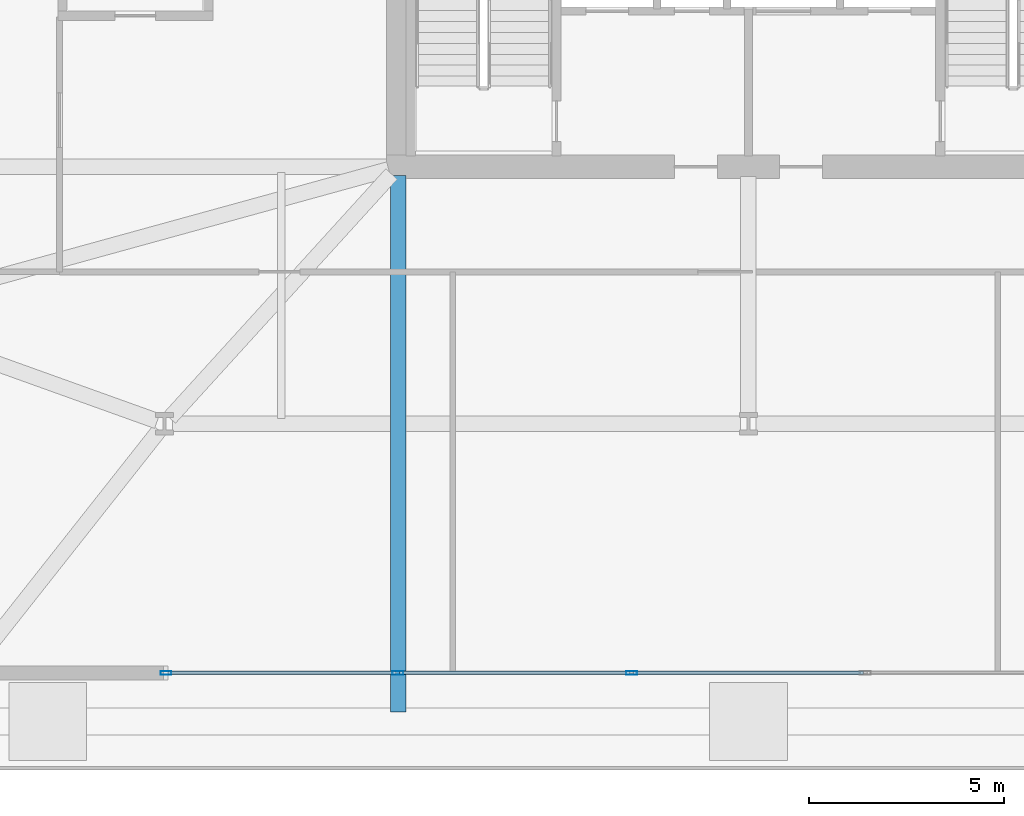
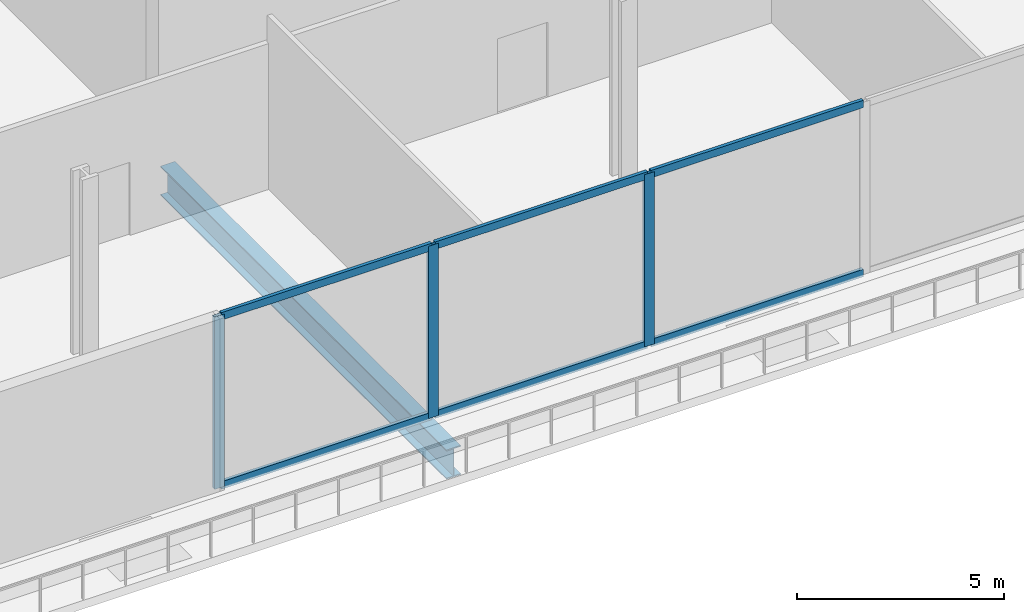
# One storey, part 2 of 20: 9 members, 1 beam, 1 element without a shape of its own.
"""IFC4 building model written with IfcOpenShell, lengths in metres."""

from ifc_helpers import new_model, si_unit, direction, frame, origin, origin_2d, place, context, subcontext, project, spatial, hollow_rectangle, i_section, extrude, material, material_profile, profile_set, type_object, element, aggregate, save


model = new_model("IFC4")

# Units and contexts
model_context = context("Model", 3, precision=1e-05, world=origin(), true_north=direction((0.0, 1.0)))
body_context = subcontext(model_context, "Body", "Model", "MODEL_VIEW")
ifc_project = project(units=[si_unit("LENGTHUNIT", "METRE"), si_unit("AREAUNIT", "SQUARE_METRE"), si_unit("VOLUMEUNIT", "CUBIC_METRE"), si_unit("PLANEANGLEUNIT", "RADIAN"), si_unit("MASSUNIT", "GRAM", prefix="KILO")], contexts=[model_context])

# Site, building, storey
site_placement = place(None, origin())
site = spatial("IfcSite", under=ifc_project, at=site_placement, CompositionType="ELEMENT")
building_placement = place(site_placement, origin())
building = spatial("IfcBuilding", under=site, at=building_placement, Name="Haldenkirk Collegiate Tower", CompositionType="ELEMENT")
storey_placement = place(building_placement, frame((0.0, 0.0, 6.0)))
storey = spatial("IfcBuildingStorey", under=building, at=storey_placement, Name="L01", CompositionType="ELEMENT", Elevation=6.0)

# Beam
ifc_material_1 = material(Name="Steel ASTM A992 Grade 50", Category="steel")
ifc_material_profile_1 = material_profile(ifc_material_1, i_section(OverallWidth=0.39990234375, OverallDepth=0.862060546875, WebThickness=0.019775390625, FlangeThickness=0.032470703125, at=origin_2d()), Name="W33X221")
ifc_profile_set_1 = profile_set([ifc_material_profile_1], Name="Steel ASTM A992 Grade 50")
beam_type = type_object("IfcBeamType", Name="BM-GIRDER-W33X221", PredefinedType="BEAM", material=ifc_profile_set_1)
beam_placement = place(storey_placement, frame((27.0, 4.0, -0.760986328125), z_axis=(0.0, 1.0, 0.0), x_axis=(-1.0, 0.0, 0.0)))
element("IfcBeam", 1, at=beam_placement, inside=storey, type_object=beam_type, Name="L01 outer podium tie girder 02", PredefinedType="BEAM", context=body_context, shape_type="SweptSolid", body=[
    extrude(i_section(OverallWidth=0.39990234375, OverallDepth=0.862060546875, WebThickness=0.019775390625, FlangeThickness=0.032470703125, at=origin_2d()), origin(), (0.0, 0.0, 1.0), 13.780029296875),
])

# Curtain wall, members
ifc_material_2 = material(Name="Anodised architectural bronze aluminium", Category="aluminium")
curtain_wall_type = type_object("IfcCurtainWallType", Name="CW-SYS3-PODIUM", PredefinedType="USERDEFINED", material=ifc_material_2)
curtain_wall_placement = place(storey_placement, origin())
curtain_wall = element("IfcCurtainWall", 2, at=curtain_wall_placement, inside=storey, type_object=curtain_wall_type, Name="L01 Podium campus concourse and library storefront curtain wall", ObjectType="UNITISED CURTAIN WALL", PredefinedType="USERDEFINED")
ifc_material_profile_2 = material_profile(ifc_material_2, hollow_rectangle(XDim=0.094970703125, YDim=0.280029296875, WallThickness=0.0048828125, at=origin_2d()), Name="CW-MUL-03")
ifc_profile_set_2 = profile_set([ifc_material_profile_2], Name="Anodised architectural bronze aluminium")
member_type_1 = type_object("IfcMemberType", Name="CW-MUL-03", PredefinedType="MULLION", material=ifc_profile_set_2)
member_1_placement = place(storey_placement, frame((32.998291015625, 5.0, 0.0), z_axis=(0.0, 0.0, 1.0), x_axis=(0.0, -1.0, 0.0)))
member_1 = element("IfcMember", 3, at=member_1_placement, type_object=member_type_1, Name="CW-03 mullion 4", PredefinedType="MULLION", context=body_context, shape_type="SweptSolid", body=[
    extrude(hollow_rectangle(XDim=0.094970703125, YDim=0.280029296875, WallThickness=0.0048828125, at=origin_2d()), origin(), (0.0, 0.0, 1.0), 5.070068359375),
])
member_2_placement = place(storey_placement, frame((26.9951171875, 5.0, 0.0), z_axis=(0.0, 0.0, 1.0), x_axis=(0.0, -1.0, 0.0)))
member_2 = element("IfcMember", 4, at=member_2_placement, type_object=member_type_1, Name="CW-03 mullion 5", PredefinedType="MULLION", context=body_context, shape_type="SweptSolid", body=[
    extrude(hollow_rectangle(XDim=0.094970703125, YDim=0.280029296875, WallThickness=0.0048828125, at=origin_2d()), origin(), (0.0, 0.0, 1.0), 5.070068359375),
])
member_3_placement = place(storey_placement, frame((21.03955078125, 5.0, 0.0), z_axis=(0.0, 0.0, 1.0), x_axis=(0.0, -1.0, 0.0)))
member_3 = element("IfcMember", 5, at=member_3_placement, type_object=member_type_1, Name="CW-03 mullion 6", PredefinedType="MULLION", context=body_context, shape_type="SweptSolid", body=[
    extrude(hollow_rectangle(XDim=0.094970703125, YDim=0.280029296875, WallThickness=0.0048828125, at=origin_2d()), origin(), (0.0, 0.0, 1.0), 5.070068359375),
])
ifc_material_profile_3 = material_profile(ifc_material_2, hollow_rectangle(XDim=0.094970703125, YDim=0.219970703125, WallThickness=0.0048828125, at=origin_2d()), Name="CW-TRN-03")
ifc_profile_set_3 = profile_set([ifc_material_profile_3], Name="Anodised architectural bronze aluminium")
member_type_2 = type_object("IfcMemberType", Name="CW-TRN-03", PredefinedType="USERDEFINED", material=ifc_profile_set_3)
member_4_placement = place(storey_placement, frame((38.9541015625, 5.0, 0.047607421875), z_axis=(-1.0, 0.0, 0.0), x_axis=(0.0, -1.0, 0.0)))
member_4 = element("IfcMember", 6, at=member_4_placement, type_object=member_type_2, Name="CW-03 transom 3.1", ObjectType="TRANSOM", PredefinedType="USERDEFINED", context=body_context, shape_type="SweptSolid", body=[
    extrude(hollow_rectangle(XDim=0.094970703125, YDim=0.219970703125, WallThickness=0.0048828125, at=origin_2d()), origin(), (0.0, 0.0, 1.0), 5.908203125),
])
member_5_placement = place(storey_placement, frame((38.9541015625, 5.0, 5.0224609375), z_axis=(-1.0, 0.0, 0.0), x_axis=(0.0, -1.0, 0.0)))
member_5 = element("IfcMember", 7, at=member_5_placement, type_object=member_type_2, Name="CW-03 transom 3.2", ObjectType="TRANSOM", PredefinedType="USERDEFINED", context=body_context, shape_type="SweptSolid", body=[
    extrude(hollow_rectangle(XDim=0.094970703125, YDim=0.219970703125, WallThickness=0.0048828125, at=origin_2d()), origin(), (0.0, 0.0, 1.0), 5.908203125),
])
member_6_placement = place(storey_placement, frame((32.950927734375, 5.0, 0.047607421875), z_axis=(-1.0, 0.0, 0.0), x_axis=(0.0, -1.0, 0.0)))
member_6 = element("IfcMember", 8, at=member_6_placement, type_object=member_type_2, Name="CW-03 transom 4.1", ObjectType="TRANSOM", PredefinedType="USERDEFINED", context=body_context, shape_type="SweptSolid", body=[
    extrude(hollow_rectangle(XDim=0.094970703125, YDim=0.219970703125, WallThickness=0.0048828125, at=origin_2d()), origin(), (0.0, 0.0, 1.0), 5.908203125),
])
member_7_placement = place(storey_placement, frame((32.950927734375, 5.0, 5.0224609375), z_axis=(-1.0, 0.0, 0.0), x_axis=(0.0, -1.0, 0.0)))
member_7 = element("IfcMember", 9, at=member_7_placement, type_object=member_type_2, Name="CW-03 transom 4.2", ObjectType="TRANSOM", PredefinedType="USERDEFINED", context=body_context, shape_type="SweptSolid", body=[
    extrude(hollow_rectangle(XDim=0.094970703125, YDim=0.219970703125, WallThickness=0.0048828125, at=origin_2d()), origin(), (0.0, 0.0, 1.0), 5.908203125),
])
member_8_placement = place(storey_placement, frame((26.94775390625, 5.0, 0.047607421875), z_axis=(-1.0, 0.0, 0.0), x_axis=(0.0, -1.0, 0.0)))
member_8 = element("IfcMember", 10, at=member_8_placement, type_object=member_type_2, Name="CW-03 transom 5.1", ObjectType="TRANSOM", PredefinedType="USERDEFINED", context=body_context, shape_type="SweptSolid", body=[
    extrude(hollow_rectangle(XDim=0.094970703125, YDim=0.219970703125, WallThickness=0.0048828125, at=origin_2d()), origin(), (0.0, 0.0, 1.0), 5.86083984375),
])
member_9_placement = place(storey_placement, frame((26.94775390625, 5.0, 5.0224609375), z_axis=(-1.0, 0.0, 0.0), x_axis=(0.0, -1.0, 0.0)))
member_9 = element("IfcMember", 11, at=member_9_placement, type_object=member_type_2, Name="CW-03 transom 5.2", ObjectType="TRANSOM", PredefinedType="USERDEFINED", context=body_context, shape_type="SweptSolid", body=[
    extrude(hollow_rectangle(XDim=0.094970703125, YDim=0.219970703125, WallThickness=0.0048828125, at=origin_2d()), origin(), (0.0, 0.0, 1.0), 5.86083984375),
])
aggregate(curtain_wall, [member_1, member_2, member_3, member_4, member_5, member_6, member_7, member_8, member_9])

save(model, "model.ifc")
